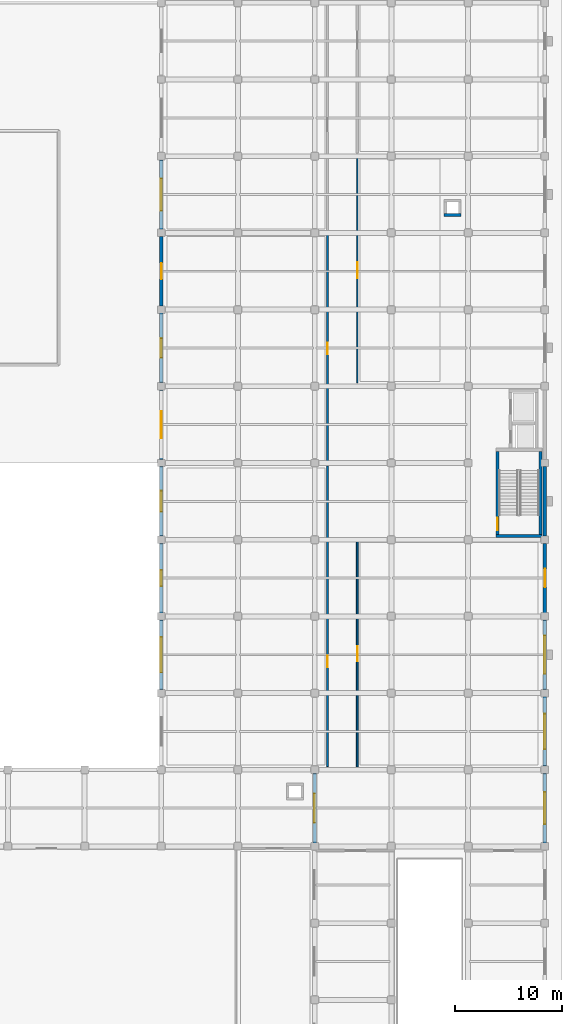
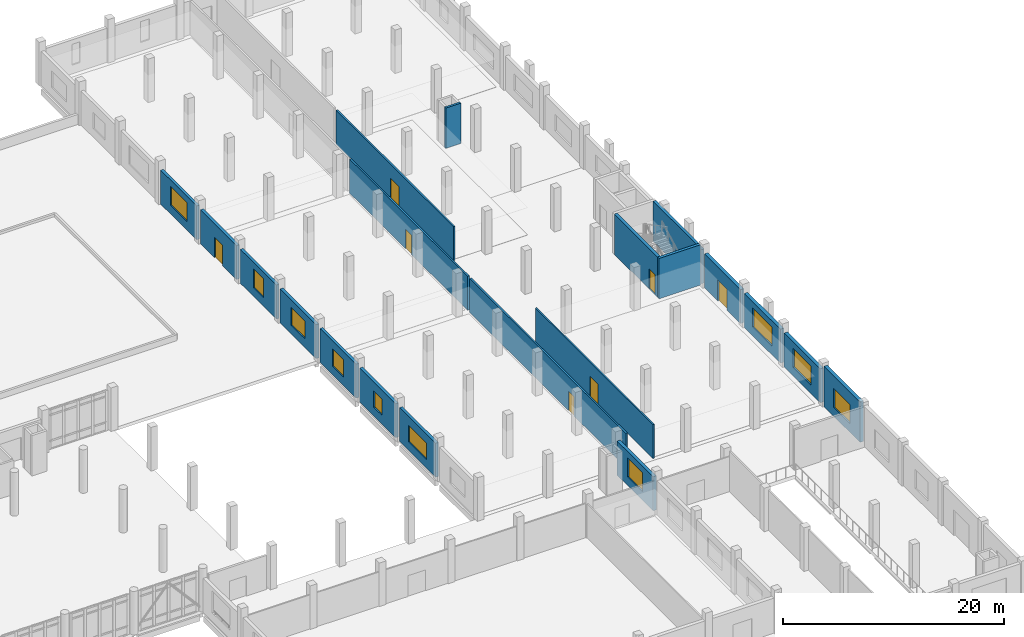
# One storey, part 41 of 59: 21 walls, 10 windows, 7 doors, 17 openings.
"""IFC4 building model written with IfcOpenShell, lengths in metres."""

from ifc_helpers import new_model, si_unit, direction, frame, frame_2d, origin, place, context, subcontext, project, spatial, rectangle, extrude, material, layer, layer_set, type_object, element, fill, save


model = new_model("IFC4")

# Units and contexts
model_context = context("Model", 3, precision=1e-05, world=origin(), true_north=direction((0.0, 1.0)))
body_context = subcontext(model_context, "Body", "Model", "MODEL_VIEW")
ifc_project = project(units=[si_unit("LENGTHUNIT", "METRE"), si_unit("AREAUNIT", "SQUARE_METRE"), si_unit("VOLUMEUNIT", "CUBIC_METRE"), si_unit("PLANEANGLEUNIT", "RADIAN"), si_unit("MASSUNIT", "GRAM", prefix="KILO")], contexts=[model_context])

# Site, building, storey
site_placement = place(None, origin())
site = spatial("IfcSite", under=ifc_project, at=site_placement, CompositionType="ELEMENT")
building_placement = place(site_placement, origin())
building = spatial("IfcBuilding", under=site, at=building_placement, Name="Valkovuoma Quantum and Materials Research Institute", CompositionType="ELEMENT")
storey_placement = place(building_placement, origin())
storey = spatial("IfcBuildingStorey", under=building, at=storey_placement, Name="L00", CompositionType="ELEMENT", Elevation=0.0)

# Wall
ifc_material_1 = material(Name="Concrete C40/50", Category="concrete")
ifc_layer_1 = layer(ifc_material_1, 0.300048828125)
ifc_layer_set_1 = layer_set([ifc_layer_1], Name="Concrete C40/50")
wall_type_1 = type_object("IfcWallType", Name="Wall-W-COR300", PredefinedType="SHEAR", material=ifc_layer_set_1)
wall_1_placement = place(storey_placement, frame((161.0, 57.949951171875, 0.0), z_axis=(0.0, 0.0, 1.0), x_axis=(1.0, 0.0, 0.0)))
element("IfcWall", 1, at=wall_1_placement, inside=storey, type_object=wall_type_1, Name="L00 core wall 0207", PredefinedType="SHEAR", context=body_context, shape_type="SweptSolid", body=[
    extrude(rectangle(XDim=4.35009765625, YDim=0.300048828125, at=frame_2d((2.175048828125, 0.0))), origin(), (0.0, 0.0, 1.0), 4.449951171875),
])

# Wall, opening, door
wall_2_placement = place(storey_placement, frame((161.14990234375, 58.10009765625, 0.0), z_axis=(0.0, 0.0, 1.0), x_axis=(0.0, 1.0, 0.0)))
wall_2 = element("IfcWall", 2, at=wall_2_placement, inside=storey, type_object=wall_type_1, Name="L00 core wall 0209", PredefinedType="SHEAR", context=body_context, shape_type="SweptSolid", body=[
    extrude(rectangle(XDim=7.7998046875, YDim=0.300048828125, at=frame_2d((3.89990234375, 0.0))), origin(), (0.0, 0.0, 1.0), 4.449951171875),
])
opening_1_placement = place(wall_2_placement, frame((0.39990234375, 0.0, 0.0)))
opening_1 = element("IfcOpeningElement", 3, at=opening_1_placement, cuts=wall_2, Name="Opening SD-035", PredefinedType="OPENING", context=body_context, shape_type="SweptSolid", body=[
    extrude(rectangle(XDim=1.14990234375, YDim=2.199951171875, at=frame_2d((0.574951171875, 1.10009765625))), frame((0.0, 0.16015625, 0.0), z_axis=(0.0, -1.0, 0.0), x_axis=(1.0, 0.0, 0.0)), (0.0, 0.0, 1.0), 0.320068359375),
])
ifc_material_2 = material(Name="Powder-coated steel and acoustic timber door assembly", Category="steel")
door_type_1 = type_object("IfcDoorType", Name="Door-DR-ST60", OperationType="NOTDEFINED", PredefinedType="DOOR", material=ifc_material_2)
door_1_placement = place(opening_1_placement, frame((1.14990234375, 0.0, 0.0), z_axis=(0.0, 0.0, 1.0), x_axis=(-1.0, 0.0, 0.0)))
door_1 = element("IfcDoor", 4, at=door_1_placement, inside=storey, type_object=door_type_1, Name="L00 ST-3 fire door", OperationType="SINGLE_SWING_RIGHT", OverallHeight=2.199951171875, OverallWidth=1.14990234375, PredefinedType="DOOR", context=body_context, shape_type="SweptSolid", body=[
    extrude(rectangle(XDim=1.14990234375, YDim=2.199951171875, at=frame_2d((0.574951171875, 1.10009765625))), frame((0.0, 0.02490234375, 0.0), z_axis=(0.0, -1.0, 0.0), x_axis=(1.0, 0.0, 0.0)), (0.0, 0.0, 1.0), 0.050048828125),
])
fill(opening_1, door_1)

# Wall
wall_3_placement = place(storey_placement, frame((165.199951171875, 58.10009765625, 0.0), z_axis=(0.0, 0.0, 1.0), x_axis=(0.0, 1.0, 0.0)))
element("IfcWall", 5, at=wall_3_placement, inside=storey, type_object=wall_type_1, Name="L00 core wall 0210", PredefinedType="SHEAR", context=body_context, shape_type="SweptSolid", body=[
    extrude(rectangle(XDim=7.7998046875, YDim=0.300048828125, at=frame_2d((3.89990234375, 0.0))), origin(), (0.0, 0.0, 1.0), 4.449951171875),
])

# Wall, opening, window
ifc_material_3 = material(Name="Precast concrete C40/50", Category="concrete")
ifc_layer_2 = layer(ifc_material_3, 0.300048828125)
ifc_layer_set_2 = layer_set([ifc_layer_2], Name="Precast concrete C40/50")
wall_type_2 = type_object("IfcWallType", Name="Wall-W-EXT300", PredefinedType="SOLIDWALL", material=ifc_layer_set_2)
wall_4_placement = place(storey_placement, frame((129.60009765625, 43.5400390625, 0.0), z_axis=(0.0, 0.0, 1.0), x_axis=(0.0, 1.0, 0.0)))
wall_4 = element("IfcWall", 6, at=wall_4_placement, inside=storey, type_object=wall_type_2, Name="L00 exterior wall 0188", PredefinedType="SOLIDWALL", context=body_context, shape_type="SweptSolid", body=[
    extrude(rectangle(XDim=6.52001953125, YDim=0.300048828125, at=frame_2d((3.260009765625, 0.0))), origin(), (0.0, 0.0, 1.0), 3.75),
])
opening_2_placement = place(wall_4_placement, frame((1.610107421875, 0.0, 0.949951171875)))
opening_2 = element("IfcOpeningElement", 7, at=opening_2_placement, cuts=wall_4, Name="Opening WN-WL13", PredefinedType="OPENING", context=body_context, shape_type="SweptSolid", body=[
    extrude(rectangle(XDim=3.300048828125, YDim=1.800048828125, at=frame_2d((1.64990234375, 0.89990234375))), frame((0.0, 0.16015625, 0.0), z_axis=(0.0, -1.0, 0.0), x_axis=(1.0, 0.0, 0.0)), (0.0, 0.0, 1.0), 0.320068359375),
])
ifc_material_4 = material(Name="Triple low-E argon glazing in thermally broken aluminium frame", Category="aluminium")
window_type_1 = type_object("IfcWindowType", Name="Win-WN-WL13", PartitioningType="SINGLE_PANEL", PredefinedType="WINDOW", material=ifc_material_4)
window_1_placement = place(opening_2_placement, origin())
window_1 = element("IfcWindow", 8, at=window_1_placement, inside=storey, type_object=window_type_1, Name="L00 window 0217", OverallHeight=1.800048828125, OverallWidth=3.300048828125, PartitioningType="SINGLE_PANEL", PredefinedType="WINDOW", context=body_context, shape_type="SweptSolid", body=[
    extrude(rectangle(XDim=3.300048828125, YDim=1.800048828125, at=frame_2d((1.64990234375, 0.89990234375))), frame((0.0, 0.030029296875, 0.0), z_axis=(0.0, -1.0, 0.0), x_axis=(1.0, 0.0, 0.0)), (0.0, 0.0, 1.0), 0.06005859375),
])
fill(opening_2, window_1)

wall_5_placement = place(storey_placement, frame((129.60009765625, 50.739990234375, 0.0), z_axis=(0.0, 0.0, 1.0), x_axis=(0.0, 1.0, 0.0)))
wall_5 = element("IfcWall", 9, at=wall_5_placement, inside=storey, type_object=wall_type_2, Name="L00 exterior wall 0189", PredefinedType="SOLIDWALL", context=body_context, shape_type="SweptSolid", body=[
    extrude(rectangle(XDim=6.52001953125, YDim=0.300048828125, at=frame_2d((3.260009765625, 0.0))), origin(), (0.0, 0.0, 1.0), 3.75),
])
opening_3_placement = place(wall_5_placement, frame((2.510009765625, 0.0, 0.949951171875)))
opening_3 = element("IfcOpeningElement", 10, at=opening_3_placement, cuts=wall_5, Name="Opening WN-WL15", PredefinedType="OPENING", context=body_context, shape_type="SweptSolid", body=[
    extrude(rectangle(XDim=1.5, YDim=1.800048828125, at=frame_2d((0.75, 0.89990234375))), frame((0.0, 0.16015625, 0.0), z_axis=(0.0, -1.0, 0.0), x_axis=(1.0, 0.0, 0.0)), (0.0, 0.0, 1.0), 0.320068359375),
])
ifc_material_5 = material(Name="Triple low-E argon glazing in thermally broken aluminium frame", Category="aluminium")
window_type_2 = type_object("IfcWindowType", Name="Win-WN-WL15", PartitioningType="SINGLE_PANEL", PredefinedType="WINDOW", material=ifc_material_5)
window_2_placement = place(opening_3_placement, origin())
window_2 = element("IfcWindow", 11, at=window_2_placement, inside=storey, type_object=window_type_2, Name="L00 window 0218", OverallHeight=1.800048828125, OverallWidth=1.5, PartitioningType="SINGLE_PANEL", PredefinedType="WINDOW", context=body_context, shape_type="SweptSolid", body=[
    extrude(rectangle(XDim=1.5, YDim=1.800048828125, at=frame_2d((0.75, 0.89990234375))), frame((0.0, 0.030029296875, 0.0), z_axis=(0.0, -1.0, 0.0), x_axis=(1.0, 0.0, 0.0)), (0.0, 0.0, 1.0), 0.06005859375),
])
fill(opening_3, window_2)

wall_6_placement = place(storey_placement, frame((129.60009765625, 57.93994140625, 0.0), z_axis=(0.0, 0.0, 1.0), x_axis=(0.0, 1.0, 0.0)))
wall_6 = element("IfcWall", 12, at=wall_6_placement, inside=storey, type_object=wall_type_2, Name="L00 exterior wall 0190", PredefinedType="SOLIDWALL", context=body_context, shape_type="SweptSolid", body=[
    extrude(rectangle(XDim=6.52001953125, YDim=0.300048828125, at=frame_2d((3.260009765625, 0.0))), origin(), (0.0, 0.0, 1.0), 3.75),
])
opening_4_placement = place(wall_6_placement, frame((2.284912109375, 0.0, 0.949951171875)))
opening_4 = element("IfcOpeningElement", 13, at=opening_4_placement, cuts=wall_6, Name="Opening WN-WL17", PredefinedType="OPENING", context=body_context, shape_type="SweptSolid", body=[
    extrude(rectangle(XDim=1.949951171875, YDim=1.949951171875, at=frame_2d((0.97509765625, 0.97509765625))), frame((0.0, 0.16015625, 0.0), z_axis=(0.0, -1.0, 0.0), x_axis=(1.0, 0.0, 0.0)), (0.0, 0.0, 1.0), 0.320068359375),
])
ifc_material_6 = material(Name="Triple low-E argon glazing in thermally broken aluminium frame", Category="aluminium")
window_type_3 = type_object("IfcWindowType", Name="Win-WN-WL17", PartitioningType="SINGLE_PANEL", PredefinedType="WINDOW", material=ifc_material_6)
window_3_placement = place(opening_4_placement, origin())
window_3 = element("IfcWindow", 14, at=window_3_placement, inside=storey, type_object=window_type_3, Name="L00 window 0219", OverallHeight=1.949951171875, OverallWidth=1.949951171875, PartitioningType="SINGLE_PANEL", PredefinedType="WINDOW", context=body_context, shape_type="SweptSolid", body=[
    extrude(rectangle(XDim=1.949951171875, YDim=1.949951171875, at=frame_2d((0.97509765625, 0.97509765625))), frame((0.0, 0.030029296875, 0.0), z_axis=(0.0, -1.0, 0.0), x_axis=(1.0, 0.0, 0.0)), (0.0, 0.0, 1.0), 0.06005859375),
])
fill(opening_4, window_3)

wall_7_placement = place(storey_placement, frame((129.60009765625, 65.139892578125, 0.0), z_axis=(0.0, 0.0, 1.0), x_axis=(0.0, 1.0, 0.0)))
wall_7 = element("IfcWall", 15, at=wall_7_placement, inside=storey, type_object=wall_type_2, Name="L00 exterior wall 0191", PredefinedType="SOLIDWALL", context=body_context, shape_type="SweptSolid", body=[
    extrude(rectangle(XDim=6.52001953125, YDim=0.300048828125, at=frame_2d((3.260009765625, 0.0))), origin(), (0.0, 0.0, 1.0), 3.75),
])
opening_5_placement = place(wall_7_placement, frame((1.985107421875, 0.0, 0.949951171875)))
opening_5 = element("IfcOpeningElement", 16, at=opening_5_placement, cuts=wall_7, Name="Opening WN-WL19", PredefinedType="OPENING", context=body_context, shape_type="SweptSolid", body=[
    extrude(rectangle(XDim=2.550048828125, YDim=1.949951171875, at=frame_2d((1.27490234375, 0.97509765625))), frame((0.0, 0.16015625, 0.0), z_axis=(0.0, -1.0, 0.0), x_axis=(1.0, 0.0, 0.0)), (0.0, 0.0, 1.0), 0.320068359375),
])
ifc_material_7 = material(Name="Triple low-E argon glazing in thermally broken aluminium frame", Category="aluminium")
window_type_4 = type_object("IfcWindowType", Name="Win-WN-WL19", PartitioningType="SINGLE_PANEL", PredefinedType="WINDOW", material=ifc_material_7)
window_4_placement = place(opening_5_placement, origin())
window_4 = element("IfcWindow", 17, at=window_4_placement, inside=storey, type_object=window_type_4, Name="L00 window 0220", OverallHeight=1.949951171875, OverallWidth=2.550048828125, PartitioningType="SINGLE_PANEL", PredefinedType="WINDOW", context=body_context, shape_type="SweptSolid", body=[
    extrude(rectangle(XDim=2.550048828125, YDim=1.949951171875, at=frame_2d((1.27490234375, 0.97509765625))), frame((0.0, 0.030029296875, 0.0), z_axis=(0.0, -1.0, 0.0), x_axis=(1.0, 0.0, 0.0)), (0.0, 0.0, 1.0), 0.06005859375),
])
fill(opening_5, window_4)

wall_8_placement = place(storey_placement, frame((129.60009765625, 72.340087890625, 0.0), z_axis=(0.0, 0.0, 1.0), x_axis=(0.0, 1.0, 0.0)))
wall_8 = element("IfcWall", 18, at=wall_8_placement, inside=storey, type_object=wall_type_2, Name="L00 exterior wall 0192", PredefinedType="SOLIDWALL", context=body_context, shape_type="SweptSolid", body=[
    extrude(rectangle(XDim=6.52001953125, YDim=0.300048828125, at=frame_2d((3.260009765625, 0.0))), origin(), (0.0, 0.0, 1.0), 3.75),
])
opening_6_placement = place(wall_8_placement, frame((2.360107421875, 0.0, 0.949951171875)))
opening_6 = element("IfcOpeningElement", 19, at=opening_6_placement, cuts=wall_8, Name="Opening WN-WL01", PredefinedType="OPENING", context=body_context, shape_type="SweptSolid", body=[
    extrude(rectangle(XDim=1.800048828125, YDim=2.10009765625, at=frame_2d((0.89990234375, 1.050048828125))), frame((0.0, 0.16015625, 0.0), z_axis=(0.0, -1.0, 0.0), x_axis=(1.0, 0.0, 0.0)), (0.0, 0.0, 1.0), 0.320068359375),
])
ifc_material_8 = material(Name="Triple low-E argon glazing in thermally broken aluminium frame", Category="aluminium")
window_type_5 = type_object("IfcWindowType", Name="Win-WN-WL01", PartitioningType="SINGLE_PANEL", PredefinedType="WINDOW", material=ifc_material_8)
window_5_placement = place(opening_6_placement, origin())
window_5 = element("IfcWindow", 20, at=window_5_placement, inside=storey, type_object=window_type_5, Name="L00 window 0221", OverallHeight=2.10009765625, OverallWidth=1.800048828125, PartitioningType="SINGLE_PANEL", PredefinedType="WINDOW", context=body_context, shape_type="SweptSolid", body=[
    extrude(rectangle(XDim=1.800048828125, YDim=2.10009765625, at=frame_2d((0.89990234375, 1.050048828125))), frame((0.0, 0.030029296875, 0.0), z_axis=(0.0, -1.0, 0.0), x_axis=(1.0, 0.0, 0.0)), (0.0, 0.0, 1.0), 0.06005859375),
])
fill(opening_6, window_5)

# Wall, opening, door
wall_9_placement = place(storey_placement, frame((129.60009765625, 79.5400390625, 0.0), z_axis=(0.0, 0.0, 1.0), x_axis=(0.0, 1.0, 0.0)))
wall_9 = element("IfcWall", 21, at=wall_9_placement, inside=storey, type_object=wall_type_2, Name="L00 exterior wall 0193", PredefinedType="SOLIDWALL", context=body_context, shape_type="SweptSolid", body=[
    extrude(rectangle(XDim=6.52001953125, YDim=0.300048828125, at=frame_2d((3.260009765625, 0.0))), origin(), (0.0, 0.0, 1.0), 3.75),
])
opening_7_placement = place(wall_9_placement, frame((2.510009765625, 0.0, 0.0)))
opening_7 = element("IfcOpeningElement", 22, at=opening_7_placement, cuts=wall_9, Name="Opening ED-027", PredefinedType="OPENING", context=body_context, shape_type="SweptSolid", body=[
    extrude(rectangle(XDim=1.5, YDim=2.25, at=frame_2d((0.75, 1.125))), frame((0.0, 0.16015625, 0.0), z_axis=(0.0, -1.0, 0.0), x_axis=(1.0, 0.0, 0.0)), (0.0, 0.0, 1.0), 0.320068359375),
])
ifc_material_9 = material(Name="Thermally broken insulated aluminium and steel door", Category="steel")
door_type_2 = type_object("IfcDoorType", Name="Door-DR-EX08", OperationType="NOTDEFINED", PredefinedType="DOOR", material=ifc_material_9)
door_2_placement = place(opening_7_placement, origin())
door_2 = element("IfcDoor", 23, at=door_2_placement, inside=storey, type_object=door_type_2, Name="L00 exterior door 027", OperationType="DOUBLE_DOOR_SINGLE_SWING", OverallHeight=2.25, OverallWidth=1.5, PredefinedType="DOOR", context=body_context, shape_type="SweptSolid", body=[
    extrude(rectangle(XDim=1.5, YDim=2.25, at=frame_2d((0.75, 1.125))), frame((0.0, 0.02490234375, 0.0), z_axis=(0.0, -1.0, 0.0), x_axis=(1.0, 0.0, 0.0)), (0.0, 0.0, 1.0), 0.050048828125),
])
fill(opening_7, door_2)

# Wall, opening, window
wall_10_placement = place(storey_placement, frame((129.60009765625, 86.739990234375, 0.0), z_axis=(0.0, 0.0, 1.0), x_axis=(0.0, 1.0, 0.0)))
wall_10 = element("IfcWall", 24, at=wall_10_placement, inside=storey, type_object=wall_type_2, Name="L00 exterior wall 0194", PredefinedType="SOLIDWALL", context=body_context, shape_type="SweptSolid", body=[
    extrude(rectangle(XDim=6.52001953125, YDim=0.300048828125, at=frame_2d((3.260009765625, 0.0))), origin(), (0.0, 0.0, 1.0), 3.75),
])
opening_8_placement = place(wall_10_placement, frame((1.760009765625, 0.0, 0.949951171875)))
opening_8 = element("IfcOpeningElement", 25, at=opening_8_placement, cuts=wall_10, Name="Opening WN-WL05", PredefinedType="OPENING", context=body_context, shape_type="SweptSolid", body=[
    extrude(rectangle(XDim=3.0, YDim=2.10009765625, at=frame_2d((1.5, 1.050048828125))), frame((0.0, 0.16015625, 0.0), z_axis=(0.0, -1.0, 0.0), x_axis=(1.0, 0.0, 0.0)), (0.0, 0.0, 1.0), 0.320068359375),
])
ifc_material_10 = material(Name="Triple low-E argon glazing in thermally broken aluminium frame", Category="aluminium")
window_type_6 = type_object("IfcWindowType", Name="Win-WN-WL05", PartitioningType="SINGLE_PANEL", PredefinedType="WINDOW", material=ifc_material_10)
window_6_placement = place(opening_8_placement, origin())
window_6 = element("IfcWindow", 26, at=window_6_placement, inside=storey, type_object=window_type_6, Name="L00 window 0222", OverallHeight=2.10009765625, OverallWidth=3.0, PartitioningType="SINGLE_PANEL", PredefinedType="WINDOW", context=body_context, shape_type="SweptSolid", body=[
    extrude(rectangle(XDim=3.0, YDim=2.10009765625, at=frame_2d((1.5, 1.050048828125))), frame((0.0, 0.030029296875, 0.0), z_axis=(0.0, -1.0, 0.0), x_axis=(1.0, 0.0, 0.0)), (0.0, 0.0, 1.0), 0.06005859375),
])
fill(opening_8, window_6)

ifc_material_11 = material(Name="Precast concrete C40/50", Category="concrete")
ifc_layer_3 = layer(ifc_material_11, 0.340087890625)
ifc_layer_set_3 = layer_set([ifc_layer_3], Name="Precast concrete C40/50")
wall_type_3 = type_object("IfcWallType", Name="Wall-W-EXT340", PredefinedType="SOLIDWALL", material=ifc_layer_set_3)
wall_11_placement = place(storey_placement, frame((144.0, 29.139892578125, 0.0), z_axis=(0.0, 0.0, 1.0), x_axis=(0.0, 1.0, 0.0)))
wall_11 = element("IfcWall", 27, at=wall_11_placement, inside=storey, type_object=wall_type_3, Name="L00 exterior wall 0204", PredefinedType="SOLIDWALL", context=body_context, shape_type="SweptSolid", body=[
    extrude(rectangle(XDim=6.52001953125, YDim=0.340087890625, at=frame_2d((3.260009765625, 0.0))), origin(), (0.0, 0.0, 1.0), 3.75),
])
opening_9_placement = place(wall_11_placement, frame((1.909912109375, 0.0, 0.949951171875)))
opening_9 = element("IfcOpeningElement", 28, at=opening_9_placement, cuts=wall_11, Name="Opening WN-WL04", PredefinedType="OPENING", context=body_context, shape_type="SweptSolid", body=[
    extrude(rectangle(XDim=2.699951171875, YDim=2.10009765625, at=frame_2d((1.35009765625, 1.050048828125))), frame((0.0, 0.18017578125, 0.0), z_axis=(0.0, -1.0, 0.0), x_axis=(1.0, 0.0, 0.0)), (0.0, 0.0, 1.0), 0.360107421875),
])
ifc_material_12 = material(Name="Triple low-E argon glazing in thermally broken aluminium frame", Category="aluminium")
window_type_7 = type_object("IfcWindowType", Name="Win-WN-WL04", PartitioningType="SINGLE_PANEL", PredefinedType="WINDOW", material=ifc_material_12)
window_7_placement = place(opening_9_placement, origin())
window_7 = element("IfcWindow", 29, at=window_7_placement, inside=storey, type_object=window_type_7, Name="L00 window 0230", OverallHeight=2.10009765625, OverallWidth=2.699951171875, PartitioningType="SINGLE_PANEL", PredefinedType="WINDOW", context=body_context, shape_type="SweptSolid", body=[
    extrude(rectangle(XDim=2.699951171875, YDim=2.10009765625, at=frame_2d((1.35009765625, 1.050048828125))), frame((0.0, 0.030029296875, 0.0), z_axis=(0.0, -1.0, 0.0), x_axis=(1.0, 0.0, 0.0)), (0.0, 0.0, 1.0), 0.06005859375),
])
fill(opening_9, window_7)

ifc_material_13 = material(Name="Precast concrete C40/50", Category="concrete")
ifc_layer_4 = layer(ifc_material_13, 0.360107421875)
ifc_layer_set_4 = layer_set([ifc_layer_4], Name="Precast concrete C40/50")
wall_type_4 = type_object("IfcWallType", Name="Wall-W-EXT360", PredefinedType="SOLIDWALL", material=ifc_layer_set_4)
wall_12_placement = place(storey_placement, frame((165.60009765625, 29.139892578125, 0.0), z_axis=(0.0, 0.0, 1.0), x_axis=(0.0, 1.0, 0.0)))
wall_12 = element("IfcWall", 30, at=wall_12_placement, inside=storey, type_object=wall_type_4, Name="L00 exterior wall 0170", PredefinedType="SOLIDWALL", context=body_context, shape_type="SweptSolid", body=[
    extrude(rectangle(XDim=6.52001953125, YDim=0.360107421875, at=frame_2d((3.260009765625, 0.0))), origin(), (0.0, 0.0, 1.0), 4.449951171875),
])
opening_10_placement = place(wall_12_placement, frame((1.760009765625, 0.0, 0.949951171875)))
opening_10 = element("IfcOpeningElement", 31, at=opening_10_placement, cuts=wall_12, Name="Opening WN-WL05", PredefinedType="OPENING", context=body_context, shape_type="SweptSolid", body=[
    extrude(rectangle(XDim=3.0, YDim=2.10009765625, at=frame_2d((1.5, 1.050048828125))), frame((0.0, 0.18994140625, 0.0), z_axis=(0.0, -1.0, 0.0), x_axis=(1.0, 0.0, 0.0)), (0.0, 0.0, 1.0), 0.380126953125),
])
window_8_placement = place(opening_10_placement, origin())
window_8 = element("IfcWindow", 32, at=window_8_placement, inside=storey, type_object=window_type_6, Name="L00 window 0203", OverallHeight=2.10009765625, OverallWidth=3.0, PartitioningType="SINGLE_PANEL", PredefinedType="WINDOW", context=body_context, shape_type="SweptSolid", body=[
    extrude(rectangle(XDim=3.0, YDim=2.10009765625, at=frame_2d((1.5, 1.050048828125))), frame((0.0, 0.030029296875, 0.0), z_axis=(0.0, -1.0, 0.0), x_axis=(1.0, 0.0, 0.0)), (0.0, 0.0, 1.0), 0.06005859375),
])
fill(opening_10, window_8)

wall_13_placement = place(storey_placement, frame((165.60009765625, 36.340087890625, 0.0), z_axis=(0.0, 0.0, 1.0), x_axis=(0.0, 1.0, 0.0)))
wall_13 = element("IfcWall", 33, at=wall_13_placement, inside=storey, type_object=wall_type_4, Name="L00 exterior wall 0171", PredefinedType="SOLIDWALL", context=body_context, shape_type="SweptSolid", body=[
    extrude(rectangle(XDim=6.52001953125, YDim=0.360107421875, at=frame_2d((3.260009765625, 0.0))), origin(), (0.0, 0.0, 1.0), 3.75),
])
opening_11_placement = place(wall_13_placement, frame((1.610107421875, 0.0, 0.949951171875)))
opening_11 = element("IfcOpeningElement", 34, at=opening_11_placement, cuts=wall_13, Name="Opening WN-WL06", PredefinedType="OPENING", context=body_context, shape_type="SweptSolid", body=[
    extrude(rectangle(XDim=3.300048828125, YDim=2.10009765625, at=frame_2d((1.64990234375, 1.050048828125))), frame((0.0, 0.18994140625, 0.0), z_axis=(0.0, -1.0, 0.0), x_axis=(1.0, 0.0, 0.0)), (0.0, 0.0, 1.0), 0.380126953125),
])
ifc_material_14 = material(Name="Triple low-E argon glazing in thermally broken aluminium frame", Category="aluminium")
window_type_8 = type_object("IfcWindowType", Name="Win-WN-WL06", PartitioningType="SINGLE_PANEL", PredefinedType="WINDOW", material=ifc_material_14)
window_9_placement = place(opening_11_placement, origin())
window_9 = element("IfcWindow", 35, at=window_9_placement, inside=storey, type_object=window_type_8, Name="L00 window 0204", OverallHeight=2.10009765625, OverallWidth=3.300048828125, PartitioningType="SINGLE_PANEL", PredefinedType="WINDOW", context=body_context, shape_type="SweptSolid", body=[
    extrude(rectangle(XDim=3.300048828125, YDim=2.10009765625, at=frame_2d((1.64990234375, 1.050048828125))), frame((0.0, 0.030029296875, 0.0), z_axis=(0.0, -1.0, 0.0), x_axis=(1.0, 0.0, 0.0)), (0.0, 0.0, 1.0), 0.06005859375),
])
fill(opening_11, window_9)

wall_14_placement = place(storey_placement, frame((165.60009765625, 43.5400390625, 0.0), z_axis=(0.0, 0.0, 1.0), x_axis=(0.0, 1.0, 0.0)))
wall_14 = element("IfcWall", 36, at=wall_14_placement, inside=storey, type_object=wall_type_4, Name="L00 exterior wall 0172", PredefinedType="SOLIDWALL", context=body_context, shape_type="SweptSolid", body=[
    extrude(rectangle(XDim=6.52001953125, YDim=0.360107421875, at=frame_2d((3.260009765625, 0.0))), origin(), (0.0, 0.0, 1.0), 3.75),
])
opening_12_placement = place(wall_14_placement, frame((1.4599609375, 0.0, 0.949951171875)))
opening_12 = element("IfcOpeningElement", 37, at=opening_12_placement, cuts=wall_14, Name="Opening WN-WL07", PredefinedType="OPENING", context=body_context, shape_type="SweptSolid", body=[
    extrude(rectangle(XDim=3.60009765625, YDim=2.10009765625, at=frame_2d((1.800048828125, 1.050048828125))), frame((0.0, 0.18994140625, 0.0), z_axis=(0.0, -1.0, 0.0), x_axis=(1.0, 0.0, 0.0)), (0.0, 0.0, 1.0), 0.380126953125),
])
ifc_material_15 = material(Name="Triple low-E argon glazing in thermally broken aluminium frame", Category="aluminium")
window_type_9 = type_object("IfcWindowType", Name="Win-WN-WL07", PartitioningType="SINGLE_PANEL", PredefinedType="WINDOW", material=ifc_material_15)
window_10_placement = place(opening_12_placement, origin())
window_10 = element("IfcWindow", 38, at=window_10_placement, inside=storey, type_object=window_type_9, Name="L00 window 0205", OverallHeight=2.10009765625, OverallWidth=3.60009765625, PartitioningType="SINGLE_PANEL", PredefinedType="WINDOW", context=body_context, shape_type="SweptSolid", body=[
    extrude(rectangle(XDim=3.60009765625, YDim=2.10009765625, at=frame_2d((1.800048828125, 1.050048828125))), frame((0.0, 0.030029296875, 0.0), z_axis=(0.0, -1.0, 0.0), x_axis=(1.0, 0.0, 0.0)), (0.0, 0.0, 1.0), 0.06005859375),
])
fill(opening_12, window_10)

# Wall, opening, door
wall_15_placement = place(storey_placement, frame((165.60009765625, 50.739990234375, 0.0), z_axis=(0.0, 0.0, 1.0), x_axis=(0.0, 1.0, 0.0)))
wall_15 = element("IfcWall", 39, at=wall_15_placement, inside=storey, type_object=wall_type_4, Name="L00 exterior wall 0173", PredefinedType="SOLIDWALL", context=body_context, shape_type="SweptSolid", body=[
    extrude(rectangle(XDim=6.52001953125, YDim=0.360107421875, at=frame_2d((3.260009765625, 0.0))), origin(), (0.0, 0.0, 1.0), 3.75),
])
opening_13_placement = place(wall_15_placement, frame((2.409912109375, 0.0, 0.0)))
opening_13 = element("IfcOpeningElement", 40, at=opening_13_placement, cuts=wall_15, Name="Opening ED-025", PredefinedType="OPENING", context=body_context, shape_type="SweptSolid", body=[
    extrude(rectangle(XDim=1.699951171875, YDim=2.300048828125, at=frame_2d((0.85009765625, 1.14990234375))), frame((0.0, 0.18994140625, 0.0), z_axis=(0.0, -1.0, 0.0), x_axis=(1.0, 0.0, 0.0)), (0.0, 0.0, 1.0), 0.380126953125),
])
ifc_material_16 = material(Name="Thermally broken insulated aluminium and steel door", Category="steel")
door_type_3 = type_object("IfcDoorType", Name="Door-DR-EX07", OperationType="NOTDEFINED", PredefinedType="DOOR", material=ifc_material_16)
door_3_placement = place(opening_13_placement, frame((1.699951171875, 0.0, 0.0), z_axis=(0.0, 0.0, 1.0), x_axis=(-1.0, 0.0, 0.0)))
door_3 = element("IfcDoor", 41, at=door_3_placement, inside=storey, type_object=door_type_3, Name="L00 exterior door 025", OperationType="DOUBLE_DOOR_SINGLE_SWING", OverallHeight=2.300048828125, OverallWidth=1.699951171875, PredefinedType="DOOR", context=body_context, shape_type="SweptSolid", body=[
    extrude(rectangle(XDim=1.699951171875, YDim=2.300048828125, at=frame_2d((0.85009765625, 1.14990234375))), frame((0.0, 0.02490234375, 0.0), z_axis=(0.0, -1.0, 0.0), x_axis=(1.0, 0.0, 0.0)), (0.0, 0.0, 1.0), 0.050048828125),
])
fill(opening_13, door_3)

# Wall
wall_16_placement = place(storey_placement, frame((165.60009765625, 57.93994140625, 0.0), z_axis=(0.0, 0.0, 1.0), x_axis=(0.0, 1.0, 0.0)))
element("IfcWall", 42, at=wall_16_placement, inside=storey, type_object=wall_type_4, Name="L00 exterior wall 0174", PredefinedType="SOLIDWALL", context=body_context, shape_type="SweptSolid", body=[
    extrude(rectangle(XDim=6.52001953125, YDim=0.360107421875, at=frame_2d((3.260009765625, 0.0))), origin(), (0.0, 0.0, 1.0), 3.75),
])

# Wall, opening, door
ifc_material_17 = material(Name="Acoustic write-up studio partition", Category="masonry")
ifc_layer_5 = layer(ifc_material_17, 0.14990234375)
ifc_layer_set_5 = layer_set([ifc_layer_5], Name="Acoustic write-up studio partition")
wall_type_5 = type_object("IfcWallType", Name="Wall-W-PRT150", PredefinedType="PARTITIONING", material=ifc_layer_set_5)
wall_17_placement = place(storey_placement, frame((148.0, 36.27490234375, 0.0), z_axis=(0.0, 0.0, 1.0), x_axis=(0.0, 1.0, 0.0)))
wall_17 = element("IfcWall", 43, at=wall_17_placement, inside=storey, type_object=wall_type_5, Name="L00 partition 0053", PredefinedType="PARTITIONING", context=body_context, shape_type="SweptSolid", body=[
    extrude(rectangle(XDim=21.25, YDim=0.14990234375, at=frame_2d((10.625, 0.0))), origin(), (0.0, 0.0, 1.0), 3.75),
])
opening_14_placement = place(wall_17_placement, frame((9.925048828125, 0.0, 0.0)))
opening_14 = element("IfcOpeningElement", 44, at=opening_14_placement, cuts=wall_17, Name="Opening ID-0040", PredefinedType="OPENING", context=body_context, shape_type="SweptSolid", body=[
    extrude(rectangle(XDim=1.39990234375, YDim=2.199951171875, at=frame_2d((0.699951171875, 1.10009765625))), frame((0.0, 0.0849609375, 0.0), z_axis=(0.0, -1.0, 0.0), x_axis=(1.0, 0.0, 0.0)), (0.0, 0.0, 1.0), 0.169921875),
])
ifc_material_18 = material(Name="Powder-coated steel and acoustic timber door assembly", Category="steel")
door_type_4 = type_object("IfcDoorType", Name="Door-DR-LB04", OperationType="NOTDEFINED", PredefinedType="DOOR", material=ifc_material_18)
door_4_placement = place(opening_14_placement, origin())
door_4 = element("IfcDoor", 45, at=door_4_placement, inside=storey, type_object=door_type_4, Name="L00 room door 0040", OperationType="SINGLE_SWING_LEFT", OverallHeight=2.199951171875, OverallWidth=1.39990234375, PredefinedType="DOOR", context=body_context, shape_type="SweptSolid", body=[
    extrude(rectangle(XDim=1.39990234375, YDim=2.199951171875, at=frame_2d((0.699951171875, 1.10009765625))), frame((0.0, 0.02490234375, 0.0), z_axis=(0.0, -1.0, 0.0), x_axis=(1.0, 0.0, 0.0)), (0.0, 0.0, 1.0), 0.050048828125),
])
fill(opening_14, door_4)

ifc_material_19 = material(Name="Laboratory fire-rated gypsum partition", Category="masonry")
ifc_layer_6 = layer(ifc_material_19, 0.179931640625)
ifc_layer_set_6 = layer_set([ifc_layer_6], Name="Laboratory fire-rated gypsum partition")
wall_type_6 = type_object("IfcWallType", Name="Wall-W-PRT180", PredefinedType="PARTITIONING", material=ifc_layer_set_6)
wall_18_placement = place(storey_placement, frame((145.199951171875, 36.2900390625, 0.0), z_axis=(0.0, 0.0, 1.0), x_axis=(0.0, 1.0, 0.0)))
wall_18 = element("IfcWall", 46, at=wall_18_placement, inside=storey, type_object=wall_type_6, Name="L00 partition 0050", PredefinedType="PARTITIONING", context=body_context, shape_type="SweptSolid", body=[
    extrude(rectangle(XDim=28.219970703125, YDim=0.179931640625, at=frame_2d((14.10986328125, 0.0))), origin(), (0.0, 0.0, 1.0), 3.75),
])
opening_15_placement = place(wall_18_placement, frame((9.35205078125, 0.0, 0.0)))
opening_15 = element("IfcOpeningElement", 47, at=opening_15_placement, cuts=wall_18, Name="Opening ID-0037", PredefinedType="OPENING", context=body_context, shape_type="SweptSolid", body=[
    extrude(rectangle(XDim=1.050048828125, YDim=2.14990234375, at=frame_2d((0.52490234375, 1.074951171875))), frame((0.0, 0.10009765625, 0.0), z_axis=(0.0, -1.0, 0.0), x_axis=(1.0, 0.0, 0.0)), (0.0, 0.0, 1.0), 0.199951171875),
])
ifc_material_20 = material(Name="Powder-coated steel and acoustic timber door assembly", Category="steel")
door_type_5 = type_object("IfcDoorType", Name="Door-DR-LB01", OperationType="NOTDEFINED", PredefinedType="DOOR", material=ifc_material_20)
door_5_placement = place(opening_15_placement, origin())
door_5 = element("IfcDoor", 48, at=door_5_placement, inside=storey, type_object=door_type_5, Name="L00 room door 0037", OperationType="SINGLE_SWING_RIGHT", OverallHeight=2.14990234375, OverallWidth=1.050048828125, PredefinedType="DOOR", context=body_context, shape_type="SweptSolid", body=[
    extrude(rectangle(XDim=1.050048828125, YDim=2.14990234375, at=frame_2d((0.52490234375, 1.074951171875))), frame((0.0, 0.02490234375, 0.0), z_axis=(0.0, -1.0, 0.0), x_axis=(1.0, 0.0, 0.0)), (0.0, 0.0, 1.0), 0.050048828125),
])
fill(opening_15, door_5)

wall_19_placement = place(storey_placement, frame((145.199951171875, 64.889892578125, 0.0), z_axis=(0.0, 0.0, 1.0), x_axis=(0.0, 1.0, 0.0)))
wall_19 = element("IfcWall", 49, at=wall_19_placement, inside=storey, type_object=wall_type_6, Name="L00 partition 0051", PredefinedType="PARTITIONING", context=body_context, shape_type="SweptSolid", body=[
    extrude(rectangle(XDim=21.320068359375, YDim=0.179931640625, at=frame_2d((10.66015625, 0.0))), origin(), (0.0, 0.0, 1.0), 3.75),
])
opening_16_placement = place(wall_19_placement, frame((10.110107421875, 0.0, 0.0)))
opening_16 = element("IfcOpeningElement", 50, at=opening_16_placement, cuts=wall_19, Name="Opening ID-0038", PredefinedType="OPENING", context=body_context, shape_type="SweptSolid", body=[
    extrude(rectangle(XDim=1.10009765625, YDim=2.14990234375, at=frame_2d((0.550048828125, 1.074951171875))), frame((0.0, 0.10009765625, 0.0), z_axis=(0.0, -1.0, 0.0), x_axis=(1.0, 0.0, 0.0)), (0.0, 0.0, 1.0), 0.199951171875),
])
ifc_material_21 = material(Name="Powder-coated steel and acoustic timber door assembly", Category="steel")
door_type_6 = type_object("IfcDoorType", Name="Door-DR-LB02", OperationType="NOTDEFINED", PredefinedType="DOOR", material=ifc_material_21)
door_6_placement = place(opening_16_placement, origin())
door_6 = element("IfcDoor", 51, at=door_6_placement, inside=storey, type_object=door_type_6, Name="L00 room door 0038", OperationType="SINGLE_SWING_LEFT", OverallHeight=2.14990234375, OverallWidth=1.10009765625, PredefinedType="DOOR", context=body_context, shape_type="SweptSolid", body=[
    extrude(rectangle(XDim=1.10009765625, YDim=2.14990234375, at=frame_2d((0.550048828125, 1.074951171875))), frame((0.0, 0.02490234375, 0.0), z_axis=(0.0, -1.0, 0.0), x_axis=(1.0, 0.0, 0.0)), (0.0, 0.0, 1.0), 0.050048828125),
])
fill(opening_16, door_6)

wall_20_placement = place(storey_placement, frame((148.0, 72.2900390625, 0.0), z_axis=(0.0, 0.0, 1.0), x_axis=(0.0, 1.0, 0.0)))
wall_20 = element("IfcWall", 52, at=wall_20_placement, inside=storey, type_object=wall_type_6, Name="L00 partition 0054", PredefinedType="PARTITIONING", context=body_context, shape_type="SweptSolid", body=[
    extrude(rectangle(XDim=21.219970703125, YDim=0.179931640625, at=frame_2d((10.60986328125, 0.0))), origin(), (0.0, 0.0, 1.0), 3.75),
])
opening_17_placement = place(wall_20_placement, frame((9.860107421875, 0.0, 0.0)))
opening_17 = element("IfcOpeningElement", 53, at=opening_17_placement, cuts=wall_20, Name="Opening ID-0041", PredefinedType="OPENING", context=body_context, shape_type="SweptSolid", body=[
    extrude(rectangle(XDim=1.5, YDim=2.199951171875, at=frame_2d((0.75, 1.10009765625))), frame((0.0, 0.10009765625, 0.0), z_axis=(0.0, -1.0, 0.0), x_axis=(1.0, 0.0, 0.0)), (0.0, 0.0, 1.0), 0.199951171875),
])
ifc_material_22 = material(Name="Powder-coated steel and acoustic timber door assembly", Category="steel")
door_type_7 = type_object("IfcDoorType", Name="Door-DR-LB05", OperationType="NOTDEFINED", PredefinedType="DOOR", material=ifc_material_22)
door_7_placement = place(opening_17_placement, origin())
door_7 = element("IfcDoor", 54, at=door_7_placement, inside=storey, type_object=door_type_7, Name="L00 room door 0041", OperationType="SINGLE_SWING_RIGHT", OverallHeight=2.199951171875, OverallWidth=1.5, PredefinedType="DOOR", context=body_context, shape_type="SweptSolid", body=[
    extrude(rectangle(XDim=1.5, YDim=2.199951171875, at=frame_2d((0.75, 1.10009765625))), frame((0.0, 0.02490234375, 0.0), z_axis=(0.0, -1.0, 0.0), x_axis=(1.0, 0.0, 0.0)), (0.0, 0.0, 1.0), 0.050048828125),
])
fill(opening_17, door_7)

# Wall
ifc_material_23 = material(Name="Concrete C40/50", Category="concrete")
ifc_layer_7 = layer(ifc_material_23, 0.239990234375)
ifc_layer_set_7 = layer_set([ifc_layer_7], Name="Concrete C40/50")
wall_type_7 = type_object("IfcWallType", Name="Wall-W-SHF240", PredefinedType="SOLIDWALL", material=ifc_layer_set_7)
wall_21_placement = place(storey_placement, frame((156.159912109375, 88.080078125, 0.0), z_axis=(0.0, 0.0, 1.0), x_axis=(1.0, 0.0, 0.0)))
element("IfcWall", 55, at=wall_21_placement, inside=storey, type_object=wall_type_7, Name="L00 core wall 0321", PredefinedType="SOLIDWALL", context=body_context, shape_type="SweptSolid", body=[
    extrude(rectangle(XDim=1.580078125, YDim=0.239990234375, at=frame_2d((0.7900390625, 0.0))), origin(), (0.0, 0.0, 1.0), 4.449951171875),
])

save(model, "model.ifc")
